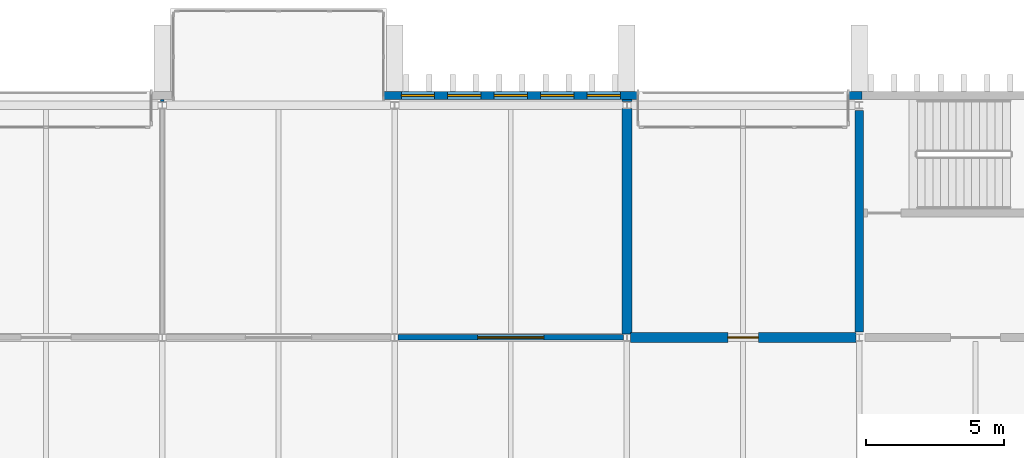
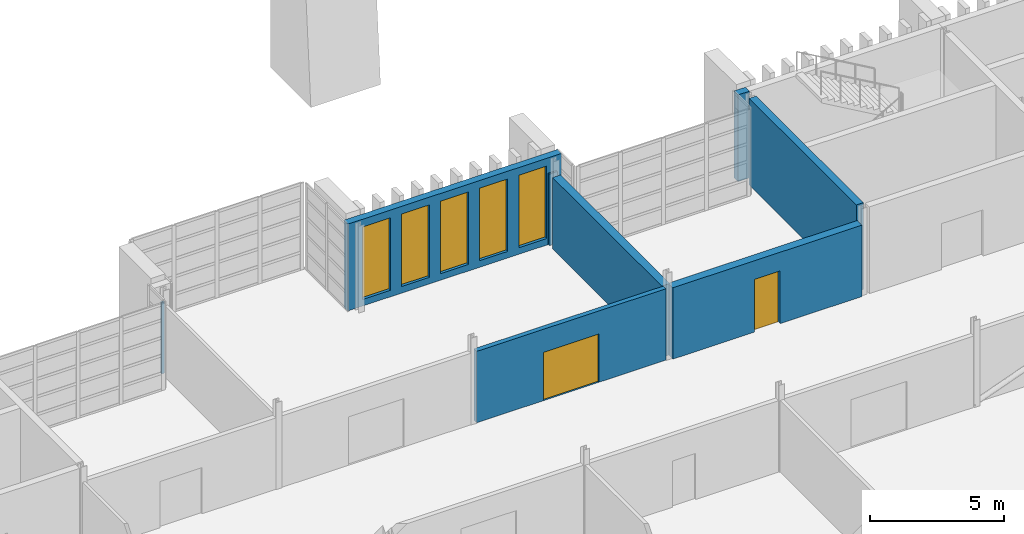
# One storey, part 58 of 88: 8 walls, 5 windows, 2 doors, 7 openings.
"""IFC4 building model written with IfcOpenShell, lengths in metres."""

from ifc_helpers import new_model, si_unit, direction, frame, frame_2d, origin, place, context, subcontext, project, spatial, rectangle, extrude, material, layer, layer_set, type_object, element, fill, save


model = new_model("IFC4")

# Units and contexts
model_context = context("Model", 3, precision=1e-05, world=origin(), true_north=direction((0.0, 1.0)))
body_context = subcontext(model_context, "Body", "Model", "MODEL_VIEW")
ifc_project = project(units=[si_unit("LENGTHUNIT", "METRE"), si_unit("AREAUNIT", "SQUARE_METRE"), si_unit("VOLUMEUNIT", "CUBIC_METRE"), si_unit("PLANEANGLEUNIT", "RADIAN"), si_unit("MASSUNIT", "GRAM", prefix="KILO")], contexts=[model_context])

# Site, building, storey
site_placement = place(None, origin())
site = spatial("IfcSite", under=ifc_project, at=site_placement, CompositionType="ELEMENT")
building_placement = place(site_placement, origin())
building = spatial("IfcBuilding", under=site, at=building_placement, Name="Cresset Court Congress Hotel", CompositionType="ELEMENT")
storey_placement = place(building_placement, frame((0.0, 0.0, 14.39990234375)))
storey = spatial("IfcBuildingStorey", under=building, at=storey_placement, Name="L03", CompositionType="ELEMENT", Elevation=14.39990234375)

# Wall, opening, door
ifc_material_1 = material(Name="Double gypsum board leaves on steel studs with mineral wool", Category="steel")
ifc_layer_1 = layer(ifc_material_1, 0.35009765625)
ifc_layer_set_1 = layer_set([ifc_layer_1], Name="Acoustic double-leaf boardroom wall 350")
wall_type_1 = type_object("IfcWallType", Name="Acoustic double-leaf boardroom wall 350", PredefinedType="PARTITIONING", material=ifc_layer_set_1)
wall_1_placement = place(storey_placement, frame((92.52490234375, 16.800048828125, 0.0), z_axis=(0.0, 0.0, 1.0), x_axis=(1.0, 0.0, 0.0)))
wall_1 = element("IfcWall", 1, at=wall_1_placement, inside=storey, type_object=wall_type_1, Name="Boardroom acoustic wall", PredefinedType="PARTITIONING", context=body_context, shape_type="SweptSolid", body=[
    extrude(rectangle(XDim=8.150146484375, YDim=0.35009765625, at=frame_2d((4.0751953125, 0.0))), origin(), (0.0, 0.0, 1.0), 3.25),
])
opening_1_placement = place(wall_1_placement, frame((3.52490234375, 0.0, 0.0)))
opening_1 = element("IfcOpeningElement", 2, at=opening_1_placement, cuts=wall_1, Name="Opening DB-03-23", PredefinedType="OPENING", context=body_context, shape_type="SweptSolid", body=[
    extrude(rectangle(XDim=1.10009765625, YDim=2.39990234375, at=frame_2d((0.550048828125, 1.199951171875))), frame((0.0, 0.18505859375, 0.0), z_axis=(0.0, -1.0, 0.0), x_axis=(1.0, 0.0, 0.0)), (0.0, 0.0, 1.0), 0.3701171875),
])
ifc_material_2 = material(Name="Solid-core timber with acoustic seals", Category="wood")
door_type_1 = type_object("IfcDoorType", Name="Boardroom acoustic door FD30 1100x2400", OperationType="SINGLE_SWING_LEFT", PredefinedType="DOOR", material=ifc_material_2)
door_1_placement = place(opening_1_placement, origin())
door_1 = element("IfcDoor", 3, at=door_1_placement, inside=storey, type_object=door_type_1, Name="Boardroom door", OperationType="SINGLE_SWING_LEFT", OverallHeight=2.39990234375, OverallWidth=1.10009765625, PredefinedType="DOOR", context=body_context, shape_type="SweptSolid", body=[
    extrude(rectangle(XDim=1.10009765625, YDim=2.39990234375, at=frame_2d((0.550048828125, 1.199951171875))), frame((0.0, 0.02490234375, 0.0), z_axis=(0.0, -1.0, 0.0), x_axis=(1.0, 0.0, 0.0)), (0.0, 0.0, 1.0), 0.050048828125),
])
fill(opening_1, door_1)

# Walls
wall_2_placement = place(storey_placement, frame((92.39990234375, 16.925048828125, 0.0), z_axis=(0.0, 0.0, 1.0), x_axis=(0.0, 1.0, 0.0)))
element("IfcWall", 4, at=wall_2_placement, inside=storey, type_object=wall_type_1, Name="Boardroom acoustic wall", PredefinedType="PARTITIONING", context=body_context, shape_type="SweptSolid", body=[
    extrude(rectangle(XDim=8.14990234375, YDim=0.35009765625, at=frame_2d((4.074951171875, 0.0))), origin(), (0.0, 0.0, 1.0), 3.25),
])
wall_3_placement = place(storey_placement, frame((92.39990234375, 25.324951171875, 0.0), z_axis=(0.0, 0.0, 1.0), x_axis=(0.0, 1.0, 0.0)))
element("IfcWall", 5, at=wall_3_placement, inside=storey, type_object=wall_type_1, Name="Boardroom acoustic wall", PredefinedType="PARTITIONING", context=body_context, shape_type="SweptSolid", body=[
    extrude(rectangle(XDim=0.074951171875, YDim=0.35009765625, at=frame_2d((0.03759765625, 0.0))), origin(), (0.0, 0.0, 1.0), 3.25),
])
ifc_material_3 = material(Name="Concrete C50", Category="concrete")
ifc_layer_2 = layer(ifc_material_3, 0.300048828125)
ifc_layer_set_2 = layer_set([ifc_layer_2], Name="Core wall 300 Concrete C50")
wall_type_2 = type_object("IfcWallType", Name="Core wall 300 Concrete C50", PredefinedType="SHEAR", material=ifc_layer_set_2)
wall_4_placement = place(storey_placement, frame((100.800048828125, 17.0, 0.0), z_axis=(0.0, 0.0, 1.0), x_axis=(0.0, 1.0, 0.0)))
element("IfcWall", 6, at=wall_4_placement, inside=storey, type_object=wall_type_2, Name="Core wall ST-B4", PredefinedType="SHEAR", context=body_context, shape_type="SweptSolid", body=[
    extrude(rectangle(XDim=8.0, YDim=0.300048828125, at=frame_2d((4.0, 0.0))), origin(), (0.0, 0.0, 1.0), 3.9501953125),
])

# Wall, openings, windows
ifc_material_4 = material(Name="Concrete C40", Category="concrete")
ifc_layer_3 = layer(ifc_material_4, 0.300048828125)
ifc_layer_set_3 = layer_set([ifc_layer_3], Name="External wall 300 Concrete C40")
wall_type_3 = type_object("IfcWallType", Name="External wall 300 Concrete C40", PredefinedType="SOLIDWALL", material=ifc_layer_set_3)
wall_5_placement = place(storey_placement, frame((83.60009765625, 25.550048828125, 0.0), z_axis=(0.0, 0.0, 1.0), x_axis=(1.0, 0.0, 0.0)))
wall_5 = element("IfcWall", 7, at=wall_5_placement, inside=storey, type_object=wall_type_3, Name="External wall", PredefinedType="SOLIDWALL", context=body_context, shape_type="SweptSolid", body=[
    extrude(rectangle(XDim=9.199951171875, YDim=0.300048828125, at=frame_2d((4.60009765625, 0.0))), origin(), (0.0, 0.0, 1.0), 3.9501953125),
])
opening_2_placement = place(wall_5_placement, frame((0.639892578125, 0.0, 0.300048828125)))
opening_2 = element("IfcOpeningElement", 8, at=opening_2_placement, cuts=wall_5, Name="Opening NB-03-57", PredefinedType="OPENING", context=body_context, shape_type="SweptSolid", body=[
    extrude(rectangle(XDim=1.199951171875, YDim=3.300048828125, at=frame_2d((0.60009765625, 1.64990234375))), frame((0.0, 0.159912109375, 0.0), z_axis=(0.0, -1.0, 0.0), x_axis=(1.0, 0.0, 0.0)), (0.0, 0.0, 1.0), 0.320068359375),
])
opening_3_placement = place(wall_5_placement, frame((2.320068359375, 0.0, 0.300048828125)))
opening_3 = element("IfcOpeningElement", 9, at=opening_3_placement, cuts=wall_5, Name="Opening NB-03-58", PredefinedType="OPENING", context=body_context, shape_type="SweptSolid", body=[
    extrude(rectangle(XDim=1.199951171875, YDim=3.300048828125, at=frame_2d((0.60009765625, 1.64990234375))), frame((0.0, 0.159912109375, 0.0), z_axis=(0.0, -1.0, 0.0), x_axis=(1.0, 0.0, 0.0)), (0.0, 0.0, 1.0), 0.320068359375),
])
opening_4_placement = place(wall_5_placement, frame((4.0, 0.0, 0.300048828125)))
opening_4 = element("IfcOpeningElement", 10, at=opening_4_placement, cuts=wall_5, Name="Opening NB-03-59", PredefinedType="OPENING", context=body_context, shape_type="SweptSolid", body=[
    extrude(rectangle(XDim=1.199951171875, YDim=3.300048828125, at=frame_2d((0.60009765625, 1.64990234375))), frame((0.0, 0.159912109375, 0.0), z_axis=(0.0, -1.0, 0.0), x_axis=(1.0, 0.0, 0.0)), (0.0, 0.0, 1.0), 0.320068359375),
])
opening_5_placement = place(wall_5_placement, frame((5.679931640625, 0.0, 0.300048828125)))
opening_5 = element("IfcOpeningElement", 11, at=opening_5_placement, cuts=wall_5, Name="Opening NB-03-60", PredefinedType="OPENING", context=body_context, shape_type="SweptSolid", body=[
    extrude(rectangle(XDim=1.199951171875, YDim=3.300048828125, at=frame_2d((0.60009765625, 1.64990234375))), frame((0.0, 0.159912109375, 0.0), z_axis=(0.0, -1.0, 0.0), x_axis=(1.0, 0.0, 0.0)), (0.0, 0.0, 1.0), 0.320068359375),
])
opening_6_placement = place(wall_5_placement, frame((7.360107421875, 0.0, 0.300048828125)))
opening_6 = element("IfcOpeningElement", 12, at=opening_6_placement, cuts=wall_5, Name="Opening NB-03-61", PredefinedType="OPENING", context=body_context, shape_type="SweptSolid", body=[
    extrude(rectangle(XDim=1.199951171875, YDim=3.300048828125, at=frame_2d((0.60009765625, 1.64990234375))), frame((0.0, 0.159912109375, 0.0), z_axis=(0.0, -1.0, 0.0), x_axis=(1.0, 0.0, 0.0)), (0.0, 0.0, 1.0), 0.320068359375),
])
ifc_material_5 = material(Name="Aluminium frame with double glazing", Category="aluminium")
window_type = type_object("IfcWindowType", Name="Window 1200x3300", PartitioningType="TRIPLE_PANEL_VERTICAL", PredefinedType="WINDOW", material=ifc_material_5)
window_1_placement = place(opening_2_placement, origin())
window_1 = element("IfcWindow", 13, at=window_1_placement, inside=storey, type_object=window_type, Name="Window NB-03-57", OverallHeight=3.300048828125, OverallWidth=1.199951171875, PartitioningType="TRIPLE_PANEL_VERTICAL", PredefinedType="WINDOW", context=body_context, shape_type="SweptSolid", body=[
    extrude(rectangle(XDim=1.199951171875, YDim=3.300048828125, at=frame_2d((0.60009765625, 1.64990234375))), frame((0.0, 0.030029296875, 0.0), z_axis=(0.0, -1.0, 0.0), x_axis=(1.0, 0.0, 0.0)), (0.0, 0.0, 1.0), 0.06005859375),
])
fill(opening_2, window_1)
window_2_placement = place(opening_3_placement, origin())
window_2 = element("IfcWindow", 14, at=window_2_placement, inside=storey, type_object=window_type, Name="Window NB-03-58", OverallHeight=3.300048828125, OverallWidth=1.199951171875, PartitioningType="TRIPLE_PANEL_VERTICAL", PredefinedType="WINDOW", context=body_context, shape_type="SweptSolid", body=[
    extrude(rectangle(XDim=1.199951171875, YDim=3.300048828125, at=frame_2d((0.60009765625, 1.64990234375))), frame((0.0, 0.030029296875, 0.0), z_axis=(0.0, -1.0, 0.0), x_axis=(1.0, 0.0, 0.0)), (0.0, 0.0, 1.0), 0.06005859375),
])
fill(opening_3, window_2)
window_3_placement = place(opening_4_placement, origin())
window_3 = element("IfcWindow", 15, at=window_3_placement, inside=storey, type_object=window_type, Name="Window NB-03-59", OverallHeight=3.300048828125, OverallWidth=1.199951171875, PartitioningType="TRIPLE_PANEL_VERTICAL", PredefinedType="WINDOW", context=body_context, shape_type="SweptSolid", body=[
    extrude(rectangle(XDim=1.199951171875, YDim=3.300048828125, at=frame_2d((0.60009765625, 1.64990234375))), frame((0.0, 0.030029296875, 0.0), z_axis=(0.0, -1.0, 0.0), x_axis=(1.0, 0.0, 0.0)), (0.0, 0.0, 1.0), 0.06005859375),
])
fill(opening_4, window_3)
window_4_placement = place(opening_5_placement, origin())
window_4 = element("IfcWindow", 16, at=window_4_placement, inside=storey, type_object=window_type, Name="Window NB-03-60", OverallHeight=3.300048828125, OverallWidth=1.199951171875, PartitioningType="TRIPLE_PANEL_VERTICAL", PredefinedType="WINDOW", context=body_context, shape_type="SweptSolid", body=[
    extrude(rectangle(XDim=1.199951171875, YDim=3.300048828125, at=frame_2d((0.60009765625, 1.64990234375))), frame((0.0, 0.030029296875, 0.0), z_axis=(0.0, -1.0, 0.0), x_axis=(1.0, 0.0, 0.0)), (0.0, 0.0, 1.0), 0.06005859375),
])
fill(opening_5, window_4)
window_5_placement = place(opening_6_placement, origin())
window_5 = element("IfcWindow", 17, at=window_5_placement, inside=storey, type_object=window_type, Name="Window NB-03-61", OverallHeight=3.300048828125, OverallWidth=1.199951171875, PartitioningType="TRIPLE_PANEL_VERTICAL", PredefinedType="WINDOW", context=body_context, shape_type="SweptSolid", body=[
    extrude(rectangle(XDim=1.199951171875, YDim=3.300048828125, at=frame_2d((0.60009765625, 1.64990234375))), frame((0.0, 0.030029296875, 0.0), z_axis=(0.0, -1.0, 0.0), x_axis=(1.0, 0.0, 0.0)), (0.0, 0.0, 1.0), 0.06005859375),
])
fill(opening_6, window_5)

# Wall
wall_6_placement = place(storey_placement, frame((100.39990234375, 25.550048828125, 0.0), z_axis=(0.0, 0.0, 1.0), x_axis=(1.0, 0.0, 0.0)))
element("IfcWall", 18, at=wall_6_placement, inside=storey, type_object=wall_type_3, Name="External wall", PredefinedType="SOLIDWALL", context=body_context, shape_type="SweptSolid", body=[
    extrude(rectangle(XDim=0.5, YDim=0.300048828125, at=frame_2d((0.25, 0.0))), origin(), (0.0, 0.0, 1.0), 3.9501953125),
])

# Wall, opening, door
ifc_material_6 = material(Name="Gypsum board on steel studs", Category="steel")
ifc_layer_4 = layer(ifc_material_6, 0.199951171875)
ifc_layer_set_4 = layer_set([ifc_layer_4], Name="Foyer wall 200")
wall_type_4 = type_object("IfcWallType", Name="Foyer wall 200", PredefinedType="PARTITIONING", material=ifc_layer_set_4)
wall_7_placement = place(storey_placement, frame((84.125, 16.800048828125, 0.0), z_axis=(0.0, 0.0, 1.0), x_axis=(1.0, 0.0, 0.0)))
wall_7 = element("IfcWall", 19, at=wall_7_placement, inside=storey, type_object=wall_type_4, Name="Foyer wall", PredefinedType="PARTITIONING", context=body_context, shape_type="SweptSolid", body=[
    extrude(rectangle(XDim=8.14990234375, YDim=0.199951171875, at=frame_2d((4.074951171875, 0.0))), origin(), (0.0, 0.0, 1.0), 3.25),
])
opening_7_placement = place(wall_7_placement, frame((2.875, 0.0, 0.0)))
opening_7 = element("IfcOpeningElement", 20, at=opening_7_placement, cuts=wall_7, Name="Opening DB-03-22", PredefinedType="OPENING", context=body_context, shape_type="SweptSolid", body=[
    extrude(rectangle(XDim=2.39990234375, YDim=2.199951171875, at=frame_2d((1.199951171875, 1.10009765625))), frame((0.0, 0.10986328125, 0.0), z_axis=(0.0, -1.0, 0.0), x_axis=(1.0, 0.0, 0.0)), (0.0, 0.0, 1.0), 0.219970703125),
])
ifc_material_7 = material(Name="Timber and steel frame", Category="steel")
door_type_2 = type_object("IfcDoorType", Name="Fire door FD30 double 2400x2200", OperationType="DOUBLE_DOOR_SINGLE_SWING", PredefinedType="DOOR", material=ifc_material_7)
door_2_placement = place(opening_7_placement, origin())
door_2 = element("IfcDoor", 21, at=door_2_placement, inside=storey, type_object=door_type_2, Name="Meeting Room door", OperationType="DOUBLE_DOOR_SINGLE_SWING", OverallHeight=2.199951171875, OverallWidth=2.39990234375, PredefinedType="DOOR", context=body_context, shape_type="SweptSolid", body=[
    extrude(rectangle(XDim=2.39990234375, YDim=2.199951171875, at=frame_2d((1.199951171875, 1.10009765625))), frame((0.0, 0.02490234375, 0.0), z_axis=(0.0, -1.0, 0.0), x_axis=(1.0, 0.0, 0.0)), (0.0, 0.0, 1.0), 0.050048828125),
])
fill(opening_7, door_2)

# Wall
ifc_material_8 = material(Name="Laminated timber panels", Category="wood")
ifc_layer_5 = layer(ifc_material_8, 0.125)
ifc_layer_set_5 = layer_set([ifc_layer_5], Name="Operable partition 125")
wall_type_5 = type_object("IfcWallType", Name="Operable partition 125", PredefinedType="MOVABLE", material=ifc_layer_set_5)
wall_8_placement = place(storey_placement, frame((75.60009765625, 25.324951171875, 0.0), z_axis=(0.0, 0.0, 1.0), x_axis=(0.0, 1.0, 0.0)))
element("IfcWall", 22, at=wall_8_placement, inside=storey, type_object=wall_type_5, Name="Operable partition", PredefinedType="MOVABLE", context=body_context, shape_type="SweptSolid", body=[
    extrude(rectangle(XDim=0.074951171875, YDim=0.125, at=frame_2d((0.03759765625, 0.0))), origin(), (0.0, 0.0, 1.0), 3.25),
])

save(model, "model.ifc")
